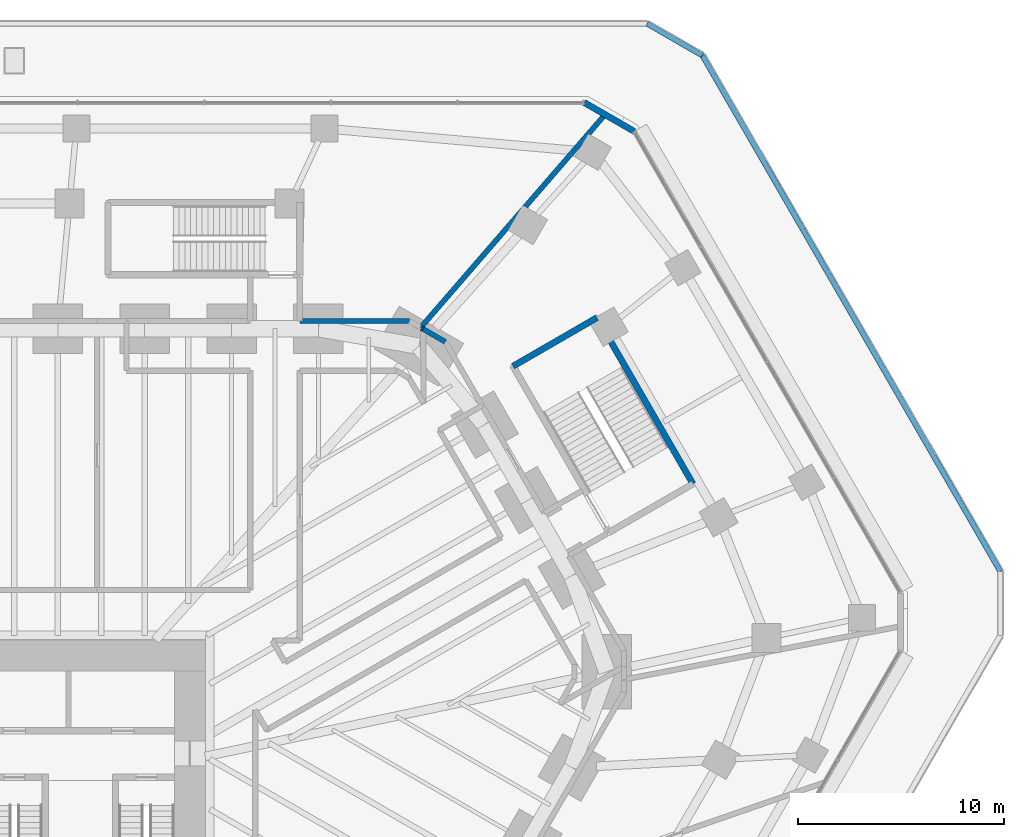
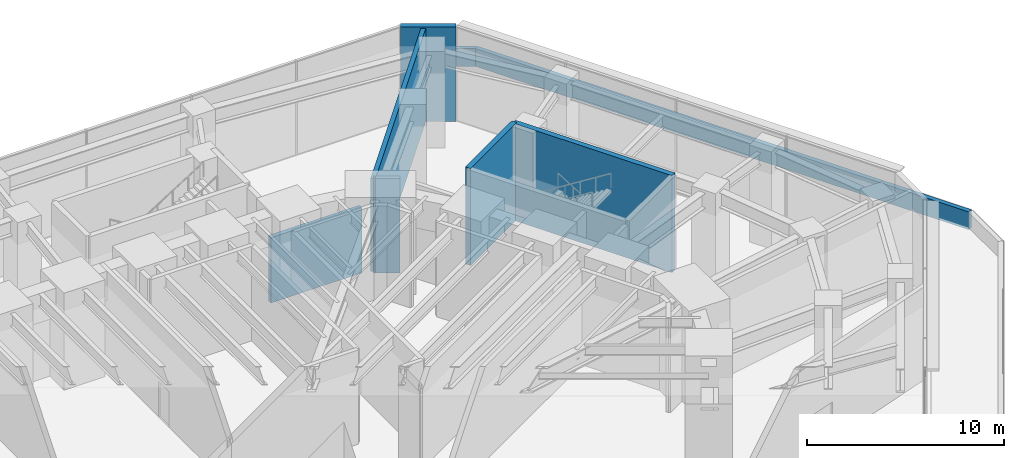
# One storey, part 20 of 25: 9 walls.
"""IFC4 building model written with IfcOpenShell, lengths in metres."""

from ifc_helpers import new_model, si_unit, direction, frame, frame_2d, origin, place, context, subcontext, project, spatial, rectangle, extrude, material, layer, layer_set, type_object, element, save


model = new_model("IFC4")

# Units and contexts
model_context = context("Model", 3, precision=1e-05, world=origin(), true_north=direction((0.0, 1.0)))
body_context = subcontext(model_context, "Body", "Model", "MODEL_VIEW")
ifc_project = project(units=[si_unit("LENGTHUNIT", "METRE"), si_unit("AREAUNIT", "SQUARE_METRE"), si_unit("VOLUMEUNIT", "CUBIC_METRE"), si_unit("PLANEANGLEUNIT", "RADIAN"), si_unit("MASSUNIT", "GRAM", prefix="KILO")], contexts=[model_context])

# Site, building, storey
site_placement = place(None, origin())
site = spatial("IfcSite", under=ifc_project, at=site_placement, CompositionType="ELEMENT")
building_placement = place(site_placement, origin())
building = spatial("IfcBuilding", under=site, at=building_placement, Name="Sandreach Pilgrim Tower", CompositionType="ELEMENT")
storey_placement = place(building_placement, frame((0.0, 0.0, 6.0)))
storey = spatial("IfcBuildingStorey", under=building, at=storey_placement, Name="L01", CompositionType="ELEMENT", Elevation=6.0)

# Walls
ifc_material_1 = material(Name="Acoustic gypsum board wall, double frame", Category="gypsum")
ifc_layer_1 = layer(ifc_material_1, 0.25)
ifc_layer_set_1 = layer_set([ifc_layer_1], Name="Hall partition 250")
wall_type_1 = type_object("IfcWallType", Name="Hall partition 250", PredefinedType="PARTITIONING", material=ifc_layer_set_1)
wall_1_placement = place(storey_placement, frame((19.14990234375, 23.050048828125, 0.0), z_axis=(0.0, 0.0, 1.0), x_axis=(-1.0, 0.0, 0.0)))
element("IfcWall", 1, at=wall_1_placement, inside=storey, type_object=wall_type_1, Name="Hall partition L01-113", PredefinedType="PARTITIONING", context=body_context, shape_type="SweptSolid", body=[
    extrude(rectangle(XDim=5.31982421875, YDim=0.25, at=frame_2d((2.659912109375, 0.0))), origin(), (0.0, 0.0, 1.0), 4.0400390625),
])
wall_2_placement = place(storey_placement, frame((19.733154296875, 22.71484375, 0.0), z_axis=(0.0, 0.0, 1.0), x_axis=(0.866550582058, -0.499089259287, 0.0)))
element("IfcWall", 2, at=wall_2_placement, inside=storey, type_object=wall_type_1, Name="Hall partition L01-115", PredefinedType="PARTITIONING", context=body_context, shape_type="SweptSolid", body=[
    extrude(rectangle(XDim=0.089111328125, YDim=0.25, at=frame_2d((0.04443359375, 0.0))), origin(), (0.0, 0.0, 1.0), 5.840087890625),
])
wall_3_placement = place(storey_placement, frame((20.8798828125, 22.050048828125, 0.0), z_axis=(0.0, 0.0, 1.0), x_axis=(-0.865250488556, 0.501339796998, 0.0)))
element("IfcWall", 3, at=wall_3_placement, inside=storey, type_object=wall_type_1, Name="Hall partition L01-119", PredefinedType="PARTITIONING", context=body_context, shape_type="SweptSolid", body=[
    extrude(rectangle(XDim=1.236328125, YDim=0.25, at=frame_2d((0.6181640625, 0.0))), origin(), (0.0, 0.0, 1.0), 5.840087890625),
])
wall_4_placement = place(storey_placement, frame((28.640380859375, 33.077392578125, 0.0), z_axis=(0.0, 0.0, 1.0), x_axis=(-0.654569518712, -0.756001815589, 0.0)))
element("IfcWall", 4, at=wall_4_placement, inside=storey, type_object=wall_type_1, Name="Hall partition L01-134", PredefinedType="PARTITIONING", context=body_context, shape_type="SweptSolid", body=[
    extrude(rectangle(XDim=13.673828125, YDim=0.25, at=frame_2d((6.8369140625, 0.0))), origin(), (0.0, 0.0, 1.0), 5.75),
])
ifc_material_2 = material(Name="Concrete 8000 psi", Category="concrete")
ifc_layer_2 = layer(ifc_material_2, 0.300048828125)
ifc_layer_set_2 = layer_set([ifc_layer_2], Name="Podium stair enclosure 300")
wall_type_2 = type_object("IfcWallType", Name="Podium stair enclosure 300", PredefinedType="SHEAR", material=ifc_layer_set_2)
wall_5_placement = place(storey_placement, frame((24.164794921875, 20.866943359375, 0.0), z_axis=(0.0, 0.0, 1.0), x_axis=(0.866016039709, 0.500016218704, 0.0)))
element("IfcWall", 5, at=wall_5_placement, inside=storey, type_object=wall_type_2, Name="Stair ST4 enclosure L01 2", PredefinedType="SHEAR", context=body_context, shape_type="SweptSolid", body=[
    extrude(rectangle(XDim=4.699951171875, YDim=0.300048828125, at=frame_2d((2.35009765625, 0.0))), origin(), (0.0, 0.0, 1.0), 6.0),
])
wall_6_placement = place(storey_placement, frame((28.235107421875, 23.217041015625, 0.0), z_axis=(0.0, 0.0, 1.0), x_axis=(0.500004225487, -0.866022964185, 0.0)))
element("IfcWall", 6, at=wall_6_placement, inside=storey, type_object=wall_type_2, Name="Stair ST4 enclosure L01 3", PredefinedType="SHEAR", context=body_context, shape_type="SweptSolid", body=[
    extrude(rectangle(XDim=9.30029296875, YDim=0.300048828125, at=frame_2d((4.650146484375, 0.0))), origin(), (0.0, 0.0, 1.0), 6.0),
])
ifc_material_3 = material(Name="Concrete parapet with terracotta coping", Category="masonry")
ifc_layer_3 = layer(ifc_material_3, 0.25)
ifc_layer_set_3 = layer_set([ifc_layer_3], Name="Setback parapet")
wall_type_3 = type_object("IfcWallType", Name="Setback parapet", PredefinedType="PARAPET", material=ifc_layer_set_3)
wall_7_placement = place(storey_placement, frame((47.783935546875, 10.9130859375, 0.0), z_axis=(0.0, 0.0, 1.0), x_axis=(-0.500005626994, 0.866022155013, 0.0)))
element("IfcWall", 7, at=wall_7_placement, inside=storey, type_object=wall_type_3, Name="Setback parapet L01 10", PredefinedType="PARAPET", context=body_context, shape_type="SweptSolid", body=[
    extrude(rectangle(XDim=28.882080078125, YDim=0.25, at=frame_2d((14.44091796875, 0.0))), origin(), (0.0, 0.0, 1.0), 1.10009765625),
])
wall_8_placement = place(storey_placement, frame((33.3427734375, 35.925537109375, 0.0), z_axis=(0.0, 0.0, 1.0), x_axis=(-0.866292085594, 0.499537808817, 0.0)))
element("IfcWall", 8, at=wall_8_placement, inside=storey, type_object=wall_type_3, Name="Setback parapet L01 11", PredefinedType="PARAPET", context=body_context, shape_type="SweptSolid", body=[
    extrude(rectangle(XDim=3.0908203125, YDim=0.25, at=frame_2d((1.54541015625, 0.0))), origin(), (0.0, 0.0, 1.0), 1.10009765625),
])
ifc_material_4 = material(Name="Terracotta rainscreen on concrete", Category="masonry")
ifc_layer_4 = layer(ifc_material_4, 0.300048828125)
ifc_layer_set_4 = layer_set([ifc_layer_4], Name="Terracotta chamfer pier")
wall_type_4 = type_object("IfcWallType", Name="Terracotta chamfer pier", PredefinedType="SOLIDWALL", material=ifc_layer_set_4)
wall_9_placement = place(storey_placement, frame((27.610107421875, 33.648193359375, 0.0), z_axis=(0.0, 0.0, 1.0), x_axis=(0.866056369097, -0.49994636267, 0.0)))
element("IfcWall", 9, at=wall_9_placement, inside=storey, type_object=wall_type_4, Name="Chamfer pier L01 N", PredefinedType="SOLIDWALL", context=body_context, shape_type="SweptSolid", body=[
    extrude(rectangle(XDim=2.800048828125, YDim=0.300048828125, at=frame_2d((1.39990234375, 0.0))), origin(), (0.0, 0.0, 1.0), 5.840087890625),
])

save(model, "model.ifc")
